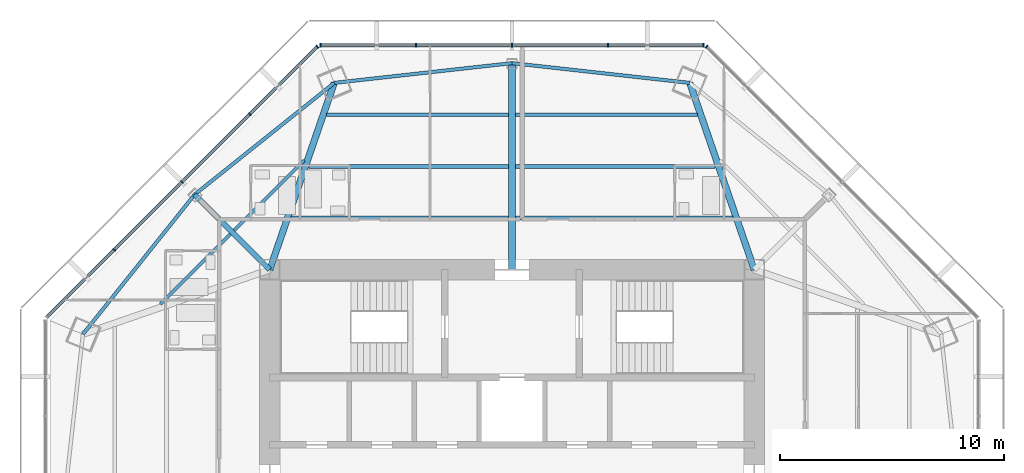
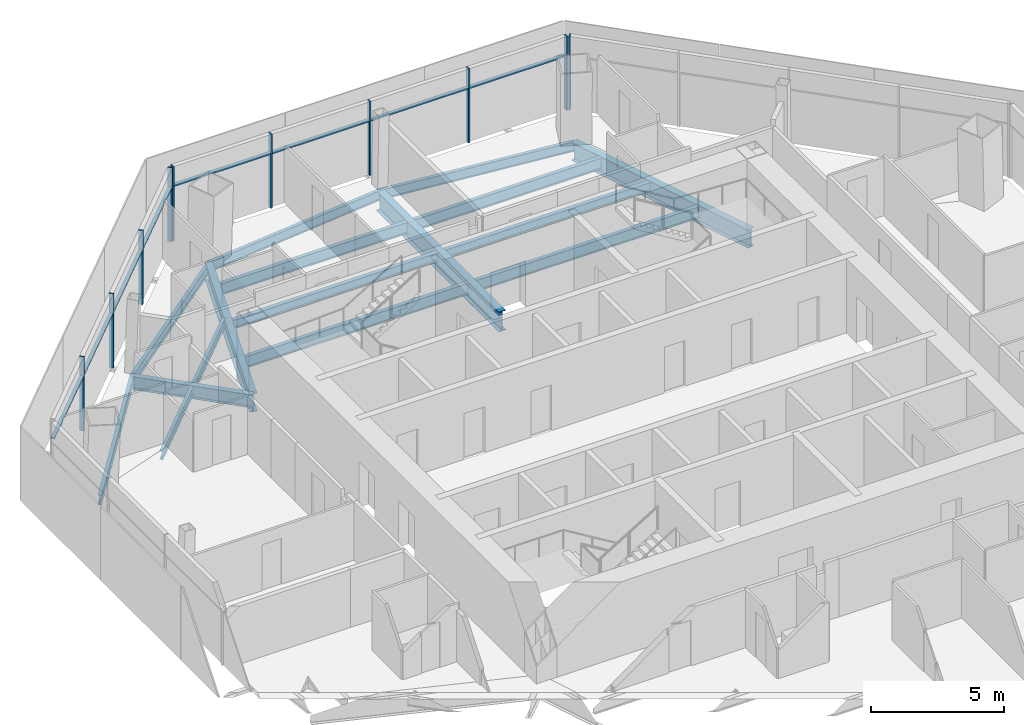
# One storey, part 5 of 14: 18 members, 16 beams, 3 elements without a shape of their own.
"""IFC4 building model written with IfcOpenShell, lengths in metres."""

from ifc_helpers import new_model, si_unit, direction, frame, origin, origin_2d, place, context, subcontext, project, spatial, rectangle, i_section, extrude, source, transform, mapped, material, material_profile, profile_set, type_object, type_shapes, element, aggregate, save


model = new_model("IFC4")

# Units and contexts
model_context = context("Model", 3, precision=1e-05, world=origin(), true_north=direction((0.0, 1.0)))
body_context = subcontext(model_context, "Body", "Model", "MODEL_VIEW")
ifc_project = project(units=[si_unit("LENGTHUNIT", "METRE"), si_unit("AREAUNIT", "SQUARE_METRE"), si_unit("VOLUMEUNIT", "CUBIC_METRE"), si_unit("PLANEANGLEUNIT", "RADIAN"), si_unit("MASSUNIT", "GRAM", prefix="KILO")], contexts=[model_context])

# Site, building, storey
site_placement = place(None, origin())
site = spatial("IfcSite", under=ifc_project, at=site_placement, CompositionType="ELEMENT")
building_placement = place(site_placement, origin())
building = spatial("IfcBuilding", under=site, at=building_placement, Name="Mashrafa Tower", CompositionType="ELEMENT")
storey_placement = place(building_placement, frame((0.0, 0.0, 255.0)))
storey = spatial("IfcBuildingStorey", under=building, at=storey_placement, Name="L61", CompositionType="ELEMENT", Elevation=255.0)

# Beams
ifc_material_1 = material(Name="Steel ASTM A992", Category="steel")
ifc_material_profile_1 = material_profile(ifc_material_1, i_section(OverallWidth=0.140380859375, OverallDepth=0.40380859375, WebThickness=0.007080078125, FlangeThickness=0.01123046875, FilletRadius=0.01025390625, at=origin_2d()), Name="W16X31")
ifc_profile_set_1 = profile_set([ifc_material_profile_1], Name="Steel ASTM A992")
beam_type_1 = type_object("IfcBeamType", Name="Beam W16X31", PredefinedType="BEAM", material=ifc_profile_set_1)
for number, where, z_axis, x_axis, name in (
    (1, (-15.677001953125, 9.27001953125, -0.40185546875), (0.707106781187, 0.707106781187, 0.0), (-0.707106781187, 0.707106781187, 0.0), "Floor beam L61 003"),
    (2, (-12.392822265625, 12.55419921875, -0.40185546875), (0.707106781187, 0.707106781187, 0.0), (-0.707106781187, 0.707106781187, 0.0), "Floor beam L61 009"),
):
    element("IfcBeam", number, at=place(storey_placement, frame(where, z_axis=z_axis, x_axis=x_axis)), inside=storey, type_object=beam_type_1, Name=name, PredefinedType="BEAM", context=body_context, shape_type="SweptSolid", body=[
        extrude(i_section(OverallWidth=0.140380859375, OverallDepth=0.40380859375, WebThickness=0.007080078125, FlangeThickness=0.01123046875, FilletRadius=0.01025390625, at=origin_2d()), origin(), (0.0, 0.0, 1.0), 4.416259765625),
    ])
ifc_material_2 = material(Name="Steel ASTM A992", Category="steel")
ifc_material_profile_2 = material_profile(ifc_material_2, i_section(OverallWidth=0.177734375, OverallDepth=0.406494140625, WebThickness=0.0078125, FlangeThickness=0.012939453125, FilletRadius=0.01025390625, at=origin_2d()), Name="W16X40")
ifc_profile_set_2 = profile_set([ifc_material_profile_2], Name="Steel ASTM A992")
beam_type_2 = type_object("IfcBeamType", Name="Beam W16X40", PredefinedType="BEAM", material=ifc_profile_set_2)
for number, where, z_axis, x_axis, name in (
    (3, (-9.055419921875, 15.4033203125, -0.4033203125), (1.0, 0.0, 0.0), (0.0, 1.0, 0.0), "Floor beam L61 011"),
    (4, (0.15234375, 15.4033203125, -0.4033203125), (1.0, 0.0, 0.0), (0.0, 1.0, 0.0), "Floor beam L61 018"),
):
    element("IfcBeam", number, at=place(storey_placement, frame(where, z_axis=z_axis, x_axis=x_axis)), inside=storey, type_object=beam_type_2, Name=name, PredefinedType="BEAM", context=body_context, shape_type="SweptSolid", body=[
        extrude(i_section(OverallWidth=0.177734375, OverallDepth=0.406494140625, WebThickness=0.0078125, FlangeThickness=0.012939453125, FilletRadius=0.01025390625, at=origin_2d()), origin(), (0.0, 0.0, 1.0), 8.903076171875),
    ])
ifc_material_3 = material(Name="Steel ASTM A992", Category="steel")
ifc_material_profile_3 = material_profile(ifc_material_3, i_section(OverallWidth=0.15234375, OverallDepth=0.449462890625, WebThickness=0.007568359375, FlangeThickness=0.0107421875, FilletRadius=0.01025390625, at=origin_2d()), Name="W18X35")
ifc_profile_set_3 = profile_set([ifc_material_profile_3], Name="Steel ASTM A992")
beam_type_3 = type_object("IfcBeamType", Name="Beam W18X35", PredefinedType="BEAM", material=ifc_profile_set_3)
for number, where, z_axis, x_axis, name in (
    (5, (-14.14697265625, 14.14697265625, -0.4248046875), (-0.624907907066, -0.780698474243, 0.0), (0.780698474243, -0.624907907066, 0.0), "Spandrel beam L61 053"),
    (6, (-7.92333984375, 19.128662109375, -0.4248046875), (-0.780698474243, -0.624907907066, 0.0), (0.624907907066, -0.780698474243, 0.0), "Spandrel beam L61 055"),
    (7, (0.0, 20.0068359375, -0.4248046875), (-0.993913949216, -0.110159255418, 0.0), (0.110159255418, -0.993913949216, 0.0), "Spandrel beam L61 057"),
    (8, (7.92333984375, 19.128662109375, -0.4248046875), (-0.993913949216, 0.110159255418, 0.0), (-0.110159255418, -0.993913949216, 0.0), "Spandrel beam L61 059"),
):
    element("IfcBeam", number, at=place(storey_placement, frame(where, z_axis=z_axis, x_axis=x_axis)), inside=storey, type_object=beam_type_3, Name=name, PredefinedType="BEAM", context=body_context, shape_type="SweptSolid", body=[
        extrude(i_section(OverallWidth=0.15234375, OverallDepth=0.449462890625, WebThickness=0.007568359375, FlangeThickness=0.0107421875, FilletRadius=0.01025390625, at=origin_2d()), origin(), (0.0, 0.0, 1.0), 7.971923828125),
    ])
ifc_material_4 = material(Name="Steel ASTM A992", Category="steel")
ifc_material_profile_4 = material_profile(ifc_material_4, i_section(OverallWidth=0.165771484375, OverallDepth=0.5283203125, WebThickness=0.009765625, FlangeThickness=0.013671875, FilletRadius=0.012939453125, at=origin_2d()), Name="W21X50")
ifc_profile_set_4 = profile_set([ifc_material_profile_4], Name="Steel ASTM A992")
beam_type_4 = type_object("IfcBeamType", Name="Beam W21X50", PredefinedType="BEAM", material=ifc_profile_set_4)
beam_1_placement = place(storey_placement, frame((-9.8505859375, 13.101806640625, -0.464111328125), z_axis=(1.0, 0.0, 0.0), x_axis=(0.0, 1.0, 0.0)))
element("IfcBeam", 9, at=beam_1_placement, inside=storey, type_object=beam_type_4, Name="Floor beam L61 010", PredefinedType="BEAM", context=body_context, shape_type="SweptSolid", body=[
    extrude(i_section(OverallWidth=0.165771484375, OverallDepth=0.5283203125, WebThickness=0.009765625, FlangeThickness=0.013671875, FilletRadius=0.012939453125, at=origin_2d()), origin(), (0.0, 0.0, 1.0), 9.6982421875),
])
beam_2_placement = place(storey_placement, frame((-8.260498046875, 17.705078125, -0.464111328125), z_axis=(1.0, 0.0, 0.0), x_axis=(0.0, 1.0, 0.0)))
element("IfcBeam", 10, at=beam_2_placement, inside=storey, type_object=beam_type_4, Name="Floor beam L61 013", PredefinedType="BEAM", context=body_context, shape_type="SweptSolid", body=[
    extrude(i_section(OverallWidth=0.165771484375, OverallDepth=0.5283203125, WebThickness=0.009765625, FlangeThickness=0.013671875, FilletRadius=0.012939453125, at=origin_2d()), origin(), (0.0, 0.0, 1.0), 8.108154296875),
])
beam_3_placement = place(storey_placement, frame((0.15234375, 13.101806640625, -0.464111328125), z_axis=(1.0, 0.0, 0.0), x_axis=(0.0, 1.0, 0.0)))
element("IfcBeam", 11, at=beam_3_placement, inside=storey, type_object=beam_type_4, Name="Floor beam L61 017", PredefinedType="BEAM", context=body_context, shape_type="SweptSolid", body=[
    extrude(i_section(OverallWidth=0.165771484375, OverallDepth=0.5283203125, WebThickness=0.009765625, FlangeThickness=0.013671875, FilletRadius=0.012939453125, at=origin_2d()), origin(), (0.0, 0.0, 1.0), 9.6982421875),
])
beam_4_placement = place(storey_placement, frame((0.15234375, 17.705078125, -0.464111328125), z_axis=(1.0, 0.0, 0.0), x_axis=(0.0, 1.0, 0.0)))
element("IfcBeam", 12, at=beam_4_placement, inside=storey, type_object=beam_type_4, Name="Floor beam L61 019", PredefinedType="BEAM", context=body_context, shape_type="SweptSolid", body=[
    extrude(i_section(OverallWidth=0.165771484375, OverallDepth=0.5283203125, WebThickness=0.009765625, FlangeThickness=0.013671875, FilletRadius=0.012939453125, at=origin_2d()), origin(), (0.0, 0.0, 1.0), 8.108154296875),
])
ifc_material_5 = material(Name="Steel ASTM A992", Category="steel")
ifc_material_profile_5 = material_profile(ifc_material_5, i_section(OverallWidth=0.227783203125, OverallDepth=0.60205078125, WebThickness=0.010498046875, FlangeThickness=0.014892578125, FilletRadius=0.012939453125, at=origin_2d()), Name="W24X68")
ifc_profile_set_5 = profile_set([ifc_material_profile_5], Name="Steel ASTM A992")
beam_type_5 = type_object("IfcBeamType", Name="Beam W24X68", PredefinedType="BEAM", material=ifc_profile_set_5)
beam_5_placement = place(storey_placement, frame((-10.800048828125, 10.800048828125, -0.5009765625), z_axis=(-0.707106781187, 0.707106781187, 0.0), x_axis=(-0.707106781187, -0.707106781187, 0.0)))
element("IfcBeam", 13, at=beam_5_placement, inside=storey, type_object=beam_type_5, Name="Radial girder L61 038", PredefinedType="BEAM", context=body_context, shape_type="SweptSolid", body=[
    extrude(i_section(OverallWidth=0.227783203125, OverallDepth=0.60205078125, WebThickness=0.010498046875, FlangeThickness=0.014892578125, FilletRadius=0.012939453125, at=origin_2d()), origin(), (0.0, 0.0, 1.0), 4.733154296875),
])
ifc_material_6 = material(Name="Steel ASTM A992", Category="steel")
ifc_material_profile_6 = material_profile(ifc_material_6, i_section(OverallWidth=0.2919921875, OverallDepth=0.8408203125, WebThickness=0.0146484375, FlangeThickness=0.021728515625, FilletRadius=0.017333984375, at=origin_2d()), Name="W33X130")
ifc_profile_set_6 = profile_set([ifc_material_profile_6], Name="Steel ASTM A992")
beam_type_6 = type_object("IfcBeamType", Name="Beam W33X130", PredefinedType="BEAM", material=ifc_profile_set_6)
for number, where, z_axis, x_axis, name in (
    (14, (-10.800048828125, 10.800048828125, -0.620361328125), (0.326474796454, 0.945205907345, 0.0), (-0.945205907345, 0.326474796454, 0.0), "Radial girder L61 039"),
    (15, (10.800048828125, 10.800048828125, -0.620361328125), (-0.326474796454, 0.945205907345, 0.0), (-0.945205907345, -0.326474796454, 0.0), "Radial girder L61 046"),
):
    element("IfcBeam", number, at=place(storey_placement, frame(where, z_axis=z_axis, x_axis=x_axis)), inside=storey, type_object=beam_type_6, Name=name, PredefinedType="BEAM", context=body_context, shape_type="SweptSolid", body=[
        extrude(i_section(OverallWidth=0.2919921875, OverallDepth=0.8408203125, WebThickness=0.0146484375, FlangeThickness=0.021728515625, FilletRadius=0.017333984375, at=origin_2d()), origin(), (0.0, 0.0, 1.0), 8.8115234375),
    ])
ifc_material_7 = material(Name="Steel ASTM A992", Category="steel")
ifc_material_profile_7 = material_profile(ifc_material_7, i_section(OverallWidth=0.3046875, OverallDepth=0.911865234375, WebThickness=0.015869140625, FlangeThickness=0.02392578125, FilletRadius=0.01904296875, at=origin_2d()), Name="W36X150")
ifc_profile_set_7 = profile_set([ifc_material_profile_7], Name="Steel ASTM A992")
beam_type_7 = type_object("IfcBeamType", Name="Beam W36X150", PredefinedType="BEAM", material=ifc_profile_set_7)
beam_6_placement = place(storey_placement, frame((0.0, 10.800048828125, -0.656005859375), z_axis=(0.0, 1.0, 0.0), x_axis=(-1.0, 0.0, 0.0)))
element("IfcBeam", 16, at=beam_6_placement, inside=storey, type_object=beam_type_7, Name="Radial girder L61 041", PredefinedType="BEAM", context=body_context, shape_type="SweptSolid", body=[
    extrude(i_section(OverallWidth=0.3046875, OverallDepth=0.911865234375, WebThickness=0.015869140625, FlangeThickness=0.02392578125, FilletRadius=0.01904296875, at=origin_2d()), origin(), (0.0, 0.0, 1.0), 9.206787109375),
])

# Curtain wall, member
ifc_material_8 = material(Name="Unitised aluminium curtain wall", Category="aluminium")
curtain_wall_type = type_object("IfcCurtainWallType", Name="Apartment curtain wall, zone 3 CW-C 180 deep", PredefinedType="NOTDEFINED", material=ifc_material_8)
curtain_wall_1_placement = place(storey_placement, origin())
curtain_wall_1 = element("IfcCurtainWall", 17, at=curtain_wall_1_placement, inside=storey, type_object=curtain_wall_type, Name="Apartment curtain wall, zone 3 L61 north-east", PredefinedType="NOTDEFINED")
ifc_material_9 = material(Name="Extruded aluminium mullion", Category="aluminium")
ifc_material_profile_8 = material_profile(ifc_material_9, rectangle(XDim=0.179931640625, YDim=0.06005859375, at=origin_2d()), Name="Mullion 60x180")
ifc_profile_set_8 = profile_set([ifc_material_profile_8], Name="Extruded aluminium mullion")
member_type_1 = type_object("IfcMemberType", Name="Mullion CW-C 60 x 180", PredefinedType="MULLION", material=ifc_profile_set_8)
shared_shape_1 = source(origin(), body_context, "Body", "SweptSolid", [
    extrude(rectangle(XDim=0.179931640625, YDim=0.06005859375, at=origin_2d()), origin(), (0.0, 0.0, 1.0), 3.39990234375),
])
type_shapes(member_type_1, [shared_shape_1])
member_1_placement = place(storey_placement, frame((8.670654296875, 20.74658203125, 0.0), z_axis=(0.0, 0.0, 1.0), x_axis=(-0.707106781187, -0.707106781187, 0.0)))
member_1 = element("IfcMember", 18, at=member_1_placement, type_object=member_type_1, Name="CW-C mullion 5", PredefinedType="MULLION", context=body_context, shape_type="MappedRepresentation", body=[
    mapped(shared_shape_1, transform((0.0, 0.0, 0.0))),
])
aggregate(curtain_wall_1, [member_1])

# Curtain wall, members
curtain_wall_2_placement = place(storey_placement, origin())
curtain_wall_2 = element("IfcCurtainWall", 19, at=curtain_wall_2_placement, inside=storey, type_object=curtain_wall_type, Name="Apartment curtain wall, zone 3 L61 north", PredefinedType="NOTDEFINED")
member_2_placement = place(storey_placement, frame((8.538818359375, 20.801025390625, 0.0), z_axis=(0.0, 0.0, 1.0), x_axis=(0.0, -1.0, 0.0)))
member_2 = element("IfcMember", 20, at=member_2_placement, type_object=member_type_1, Name="CW-C mullion 1", PredefinedType="MULLION", context=body_context, shape_type="MappedRepresentation", body=[
    mapped(shared_shape_1, transform((0.0, 0.0, 0.0))),
])
member_3_placement = place(storey_placement, frame((4.284423828125, 20.801025390625, 0.0), z_axis=(0.0, 0.0, 1.0), x_axis=(0.0, -1.0, 0.0)))
member_3 = element("IfcMember", 21, at=member_3_placement, type_object=member_type_1, Name="CW-C mullion 2", PredefinedType="MULLION", context=body_context, shape_type="MappedRepresentation", body=[
    mapped(shared_shape_1, transform((0.0, 0.0, 0.0))),
])
member_4_placement = place(storey_placement, frame((0.0, 20.801025390625, 0.0), z_axis=(0.0, 0.0, 1.0), x_axis=(0.0, -1.0, 0.0)))
member_4 = element("IfcMember", 22, at=member_4_placement, type_object=member_type_1, Name="CW-C mullion 3", PredefinedType="MULLION", context=body_context, shape_type="MappedRepresentation", body=[
    mapped(shared_shape_1, transform((0.0, 0.0, 0.0))),
])
member_5_placement = place(storey_placement, frame((-4.284423828125, 20.801025390625, 0.0), z_axis=(0.0, 0.0, 1.0), x_axis=(0.0, -1.0, 0.0)))
member_5 = element("IfcMember", 23, at=member_5_placement, type_object=member_type_1, Name="CW-C mullion 4", PredefinedType="MULLION", context=body_context, shape_type="MappedRepresentation", body=[
    mapped(shared_shape_1, transform((0.0, 0.0, 0.0))),
])
member_6_placement = place(storey_placement, frame((-8.538818359375, 20.801025390625, 0.0), z_axis=(0.0, 0.0, 1.0), x_axis=(0.0, -1.0, 0.0)))
member_6 = element("IfcMember", 24, at=member_6_placement, type_object=member_type_1, Name="CW-C mullion 5", PredefinedType="MULLION", context=body_context, shape_type="MappedRepresentation", body=[
    mapped(shared_shape_1, transform((0.0, 0.0, 0.0))),
])

curtain_wall_3_placement = place(storey_placement, origin())
curtain_wall_3 = element("IfcCurtainWall", 25, at=curtain_wall_3_placement, inside=storey, type_object=curtain_wall_type, Name="Apartment curtain wall, zone 3 L61 north-west", PredefinedType="NOTDEFINED")
member_7_placement = place(storey_placement, frame((-8.670654296875, 20.74658203125, 0.0), z_axis=(0.0, 0.0, 1.0), x_axis=(0.707106781187, -0.707106781187, 0.0)))
member_7 = element("IfcMember", 26, at=member_7_placement, type_object=member_type_1, Name="CW-C mullion 1", PredefinedType="MULLION", context=body_context, shape_type="MappedRepresentation", body=[
    mapped(shared_shape_1, transform((0.0, 0.0, 0.0))),
])
member_8_placement = place(storey_placement, frame((-11.67919921875, 17.73828125, 0.0), z_axis=(0.0, 0.0, 1.0), x_axis=(0.707106781187, -0.707106781187, 0.0)))
member_8 = element("IfcMember", 27, at=member_8_placement, type_object=member_type_1, Name="CW-C mullion 2", PredefinedType="MULLION", context=body_context, shape_type="MappedRepresentation", body=[
    mapped(shared_shape_1, transform((0.0, 0.0, 0.0))),
])
member_9_placement = place(storey_placement, frame((-14.708740234375, 14.708740234375, 0.0), z_axis=(0.0, 0.0, 1.0), x_axis=(0.707106781187, -0.707106781187, 0.0)))
member_9 = element("IfcMember", 28, at=member_9_placement, type_object=member_type_1, Name="CW-C mullion 3", PredefinedType="MULLION", context=body_context, shape_type="MappedRepresentation", body=[
    mapped(shared_shape_1, transform((0.0, 0.0, 0.0))),
])
member_10_placement = place(storey_placement, frame((-17.73828125, 11.67919921875, 0.0), z_axis=(0.0, 0.0, 1.0), x_axis=(0.707106781187, -0.707106781187, 0.0)))
member_10 = element("IfcMember", 29, at=member_10_placement, type_object=member_type_1, Name="CW-C mullion 4", PredefinedType="MULLION", context=body_context, shape_type="MappedRepresentation", body=[
    mapped(shared_shape_1, transform((0.0, 0.0, 0.0))),
])

# Member
ifc_material_10 = material(Name="Extruded aluminium transom", Category="aluminium")
ifc_material_profile_9 = material_profile(ifc_material_10, rectangle(XDim=0.14404296875, YDim=0.074951171875, at=origin_2d()), Name="Transom 75x144")
ifc_profile_set_9 = profile_set([ifc_material_profile_9], Name="Extruded aluminium transom")
member_type_2 = type_object("IfcMemberType", Name="Transom CW-C 75 x 144", PredefinedType="MULLION", material=ifc_profile_set_9)
shared_shape_2 = source(origin(), body_context, "Body", "SweptSolid", [
    extrude(rectangle(XDim=0.14404296875, YDim=0.074951171875, at=origin_2d()), origin(), (0.0, 0.0, 1.0), 4.1943359375),
])
member_11_placement = place(storey_placement, frame((8.5087890625, 20.801025390625, 2.5), z_axis=(-1.0, 0.0, 0.0), x_axis=(0.0, -1.0, 0.0)))
member_11 = element("IfcMember", 30, at=member_11_placement, type_object=member_type_2, Name="CW-C transom 1", PredefinedType="MULLION", context=body_context, shape_type="MappedRepresentation", body=[
    mapped(shared_shape_2, transform((0.0, 0.0, 0.0))),
])

member_12_placement = place(storey_placement, frame((-4.314453125, 20.801025390625, 2.5), z_axis=(-1.0, 0.0, 0.0), x_axis=(0.0, -1.0, 0.0)))
member_12 = element("IfcMember", 31, at=member_12_placement, type_object=member_type_2, Name="CW-C transom 4", PredefinedType="MULLION", context=body_context, shape_type="MappedRepresentation", body=[
    mapped(shared_shape_2, transform((0.0, 0.0, 0.0))),
])

shared_shape_3 = source(origin(), body_context, "Body", "SweptSolid", [
    extrude(rectangle(XDim=0.14404296875, YDim=0.074951171875, at=origin_2d()), origin(), (0.0, 0.0, 1.0), 4.224365234375),
])
member_13_placement = place(storey_placement, frame((4.25439453125, 20.801025390625, 2.5), z_axis=(-1.0, 0.0, 0.0), x_axis=(0.0, -1.0, 0.0)))
member_13 = element("IfcMember", 32, at=member_13_placement, type_object=member_type_2, Name="CW-C transom 2", PredefinedType="MULLION", context=body_context, shape_type="MappedRepresentation", body=[
    mapped(shared_shape_3, transform((0.0, 0.0, 0.0))),
])

member_14_placement = place(storey_placement, frame((-0.030029296875, 20.801025390625, 2.5), z_axis=(-1.0, 0.0, 0.0), x_axis=(0.0, -1.0, 0.0)))
member_14 = element("IfcMember", 33, at=member_14_placement, type_object=member_type_2, Name="CW-C transom 3", PredefinedType="MULLION", context=body_context, shape_type="MappedRepresentation", body=[
    mapped(shared_shape_3, transform((0.0, 0.0, 0.0))),
])

aggregate(curtain_wall_2, [member_2, member_3, member_4, member_5, member_6, member_11, member_13, member_14, member_12])

shared_shape_4 = source(origin(), body_context, "Body", "SweptSolid", [
    extrude(rectangle(XDim=0.14404296875, YDim=0.074951171875, at=origin_2d()), origin(), (0.0, 0.0, 1.0), 4.194580078125),
])
member_15_placement = place(storey_placement, frame((-8.69189453125, 20.725341796875, 2.5), z_axis=(-0.707106781187, -0.707106781187, 0.0), x_axis=(0.707106781187, -0.707106781187, 0.0)))
member_15 = element("IfcMember", 34, at=member_15_placement, type_object=member_type_2, Name="CW-C transom 1", PredefinedType="MULLION", context=body_context, shape_type="MappedRepresentation", body=[
    mapped(shared_shape_4, transform((0.0, 0.0, 0.0))),
])

member_16_placement = place(storey_placement, frame((-17.75927734375, 11.657958984375, 2.5), z_axis=(-0.707106781187, -0.707106781187, 0.0), x_axis=(0.707106781187, -0.707106781187, 0.0)))
member_16 = element("IfcMember", 35, at=member_16_placement, type_object=member_type_2, Name="CW-C transom 4", PredefinedType="MULLION", context=body_context, shape_type="MappedRepresentation", body=[
    mapped(shared_shape_4, transform((0.0, 0.0, 0.0))),
])

shared_shape_5 = source(origin(), body_context, "Body", "SweptSolid", [
    extrude(rectangle(XDim=0.14404296875, YDim=0.074951171875, at=origin_2d()), origin(), (0.0, 0.0, 1.0), 4.224609375),
])
type_shapes(member_type_2, [shared_shape_2, shared_shape_3, shared_shape_4, shared_shape_5])
member_17_placement = place(storey_placement, frame((-11.7001953125, 17.717041015625, 2.5), z_axis=(-0.707106781187, -0.707106781187, 0.0), x_axis=(0.707106781187, -0.707106781187, 0.0)))
member_17 = element("IfcMember", 36, at=member_17_placement, type_object=member_type_2, Name="CW-C transom 2", PredefinedType="MULLION", context=body_context, shape_type="MappedRepresentation", body=[
    mapped(shared_shape_5, transform((0.0, 0.0, 0.0))),
])

member_18_placement = place(storey_placement, frame((-14.729736328125, 14.6875, 2.5), z_axis=(-0.707106781187, -0.707106781187, 0.0), x_axis=(0.707106781187, -0.707106781187, 0.0)))
member_18 = element("IfcMember", 37, at=member_18_placement, type_object=member_type_2, Name="CW-C transom 3", PredefinedType="MULLION", context=body_context, shape_type="MappedRepresentation", body=[
    mapped(shared_shape_5, transform((0.0, 0.0, 0.0))),
])

aggregate(curtain_wall_3, [member_7, member_8, member_9, member_10, member_15, member_17, member_18, member_16])

save(model, "model.ifc")
